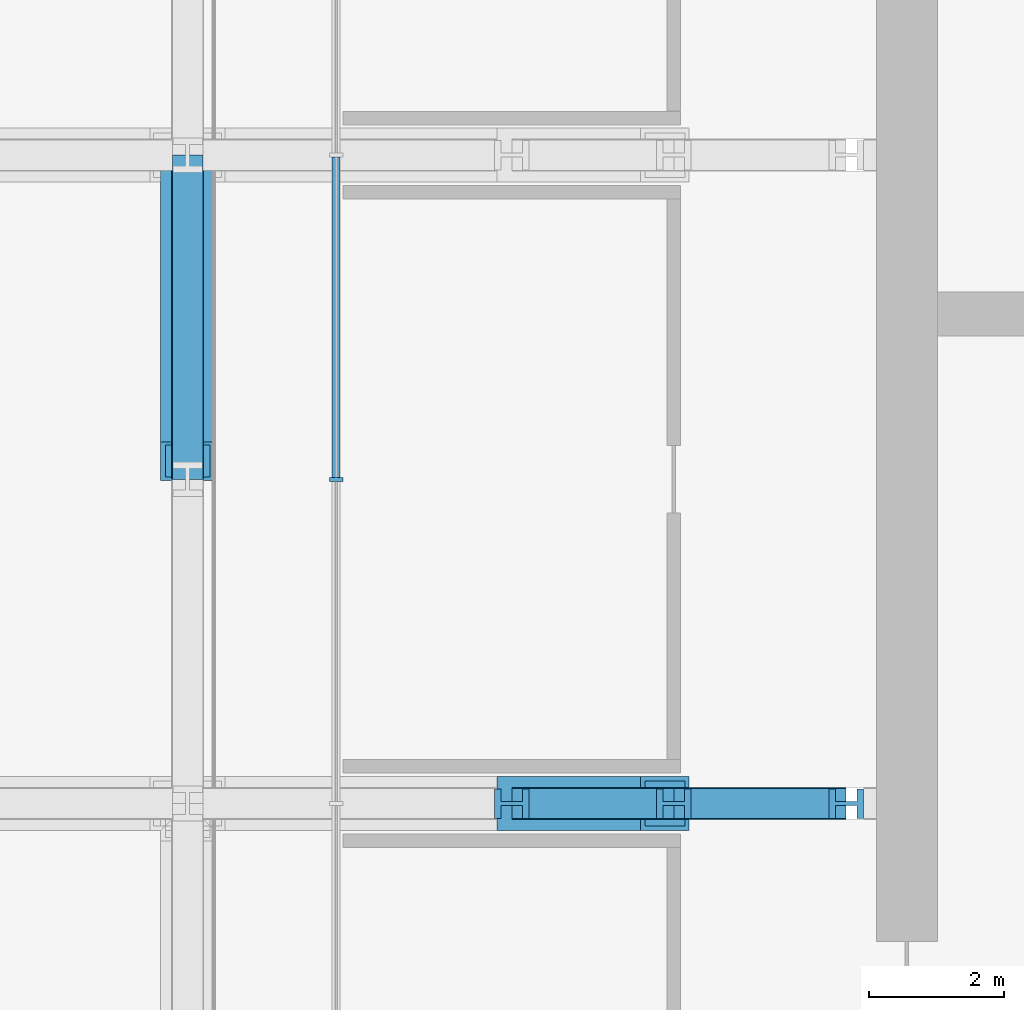
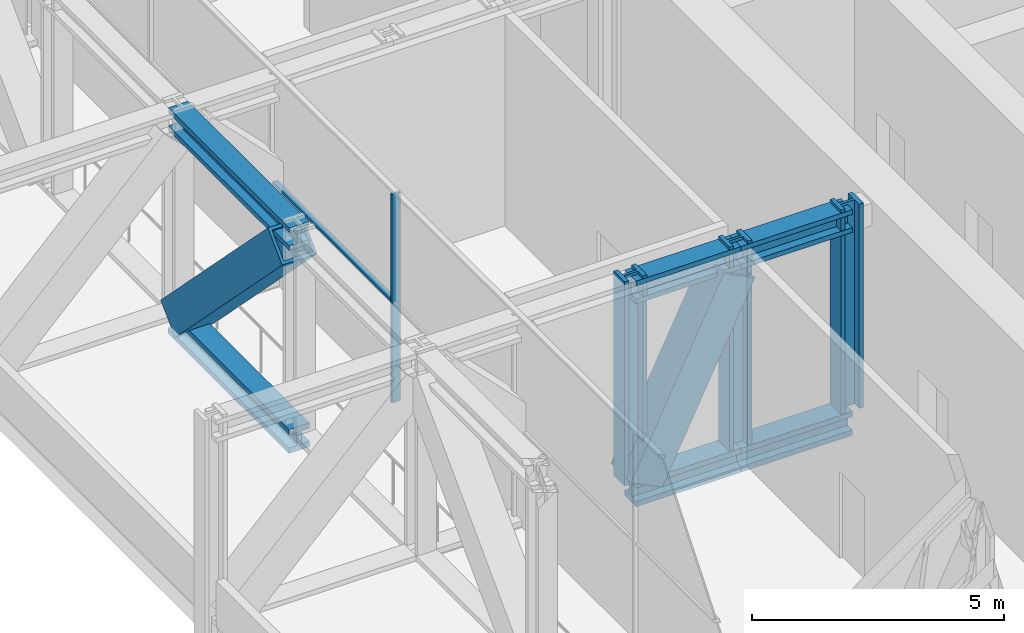
# One storey, part 5 of 30: 13 members, 1 element without a shape of its own.
"""IFC4 building model written with IfcOpenShell, lengths in metres."""

from ifc_helpers import new_model, si_unit, direction, frame, origin, origin_2d, place, context, subcontext, project, spatial, rectangle, hollow_rectangle, i_section, extrude, material, layer, layer_set, material_profile, profile_set, type_object, element, aggregate, save


model = new_model("IFC4")

# Units and contexts
model_context = context("Model", 3, precision=1e-05, world=origin(), true_north=direction((0.0, 1.0)))
body_context = subcontext(model_context, "Body", "Model", "MODEL_VIEW")
ifc_project = project(units=[si_unit("LENGTHUNIT", "METRE"), si_unit("AREAUNIT", "SQUARE_METRE"), si_unit("VOLUMEUNIT", "CUBIC_METRE"), si_unit("PLANEANGLEUNIT", "RADIAN"), si_unit("MASSUNIT", "GRAM", prefix="KILO")], contexts=[model_context])

# Site, building, storey
site_placement = place(None, origin())
site = spatial("IfcSite", under=ifc_project, at=site_placement, CompositionType="ELEMENT")
building_placement = place(site_placement, origin())
building = spatial("IfcBuilding", under=site, at=building_placement, Name="Madar Terraces", CompositionType="ELEMENT")
storey_placement = place(building_placement, frame((0.0, 0.0, 53.89990234375)))
storey = spatial("IfcBuildingStorey", under=building, at=storey_placement, Name="L13", CompositionType="ELEMENT", Elevation=53.89990234375)

# Members
ifc_material_1 = material(Name="Steel ASTM A913 Grade 65", Category="steel")
ifc_material_profile_1 = material_profile(ifc_material_1, i_section(OverallWidth=0.472412109375, OverallDepth=0.5791015625, WebThickness=0.094970703125, FlangeThickness=0.130126953125, at=origin_2d()), Name="W14x808")
ifc_profile_set_1 = profile_set([ifc_material_profile_1], Name="Steel ASTM A913 Grade 65")
member_type_1 = type_object("IfcMemberType", Name="BC2 W14x808", PredefinedType="CHORD", material=ifc_profile_set_1)
member_1_placement = place(storey_placement, frame((4.800048828125, 33.60009765625, -0.13037109375), z_axis=(0.0, -1.0, 0.0), x_axis=(1.0, 0.0, 0.0)))
element("IfcMember", 1, at=member_1_placement, inside=storey, type_object=member_type_1, Name="Exoskeleton truss ring bottom chord BC2", PredefinedType="CHORD", context=body_context, shape_type="SweptSolid", body=[
    extrude(i_section(OverallWidth=0.472412109375, OverallDepth=0.5791015625, WebThickness=0.094970703125, FlangeThickness=0.130126953125, at=origin_2d()), origin(), (0.0, 0.0, 1.0), 4.800048828125),
])
member_2_placement = place(storey_placement, frame((9.60009765625, 24.0, -0.13037109375), z_axis=(1.0, 0.0, 0.0), x_axis=(0.0, 1.0, 0.0)))
element("IfcMember", 2, at=member_2_placement, inside=storey, type_object=member_type_1, Name="Exoskeleton truss cross W24 bottom chord BC2", PredefinedType="CHORD", context=body_context, shape_type="SweptSolid", body=[
    extrude(i_section(OverallWidth=0.472412109375, OverallDepth=0.5791015625, WebThickness=0.094970703125, FlangeThickness=0.130126953125, at=origin_2d()), origin(), (0.0, 0.0, 1.0), 2.39990234375),
])
member_3_placement = place(storey_placement, frame((12.0, 24.0, -0.13037109375), z_axis=(1.0, 0.0, 0.0), x_axis=(0.0, 1.0, 0.0)))
element("IfcMember", 3, at=member_3_placement, inside=storey, type_object=member_type_1, Name="Exoskeleton truss cross W24 bottom chord BC2", PredefinedType="CHORD", context=body_context, shape_type="SweptSolid", body=[
    extrude(i_section(OverallWidth=0.472412109375, OverallDepth=0.5791015625, WebThickness=0.094970703125, FlangeThickness=0.130126953125, at=origin_2d()), origin(), (0.0, 0.0, 1.0), 2.550048828125),
])

# Curtain wall, members
ifc_material_2 = material(Name="Glass, ceramic frit dark grey, with black aluminium frame", Category="aluminium")
ifc_layer = layer(ifc_material_2, 0.199951171875)
ifc_layer_set = layer_set([ifc_layer], Name="Facade curtain wall, tall glazing")
curtain_wall_type = type_object("IfcCurtainWallType", Name="Facade curtain wall, tall glazing", PredefinedType="NOTDEFINED", material=ifc_layer_set)
curtain_wall_placement = place(storey_placement, origin())
curtain_wall = element("IfcCurtainWall", 4, at=curtain_wall_placement, inside=storey, type_object=curtain_wall_type, Name="Outer skin curtain wall west bay 1", PredefinedType="NOTDEFINED")
ifc_material_3 = material(Name="Aluminium, black anodised", Category="aluminium")
ifc_material_profile_2 = material_profile(ifc_material_3, rectangle(XDim=0.199951171875, YDim=0.06005859375, at=origin_2d()), Name="Facade mullion 60x200")
ifc_profile_set_2 = profile_set([ifc_material_profile_2], Name="Aluminium, black anodised")
member_type_2 = type_object("IfcMemberType", Name="Facade mullion 60x200", PredefinedType="MULLION", material=ifc_profile_set_2)
member_4_placement = place(storey_placement, frame((7.0, 28.800048828125, 0.0), z_axis=(0.0, 0.0, 1.0), x_axis=(1.0, 0.0, 0.0)))
member_4 = element("IfcMember", 5, at=member_4_placement, type_object=member_type_2, Name="Mullion 3", PredefinedType="MULLION", context=body_context, shape_type="SweptSolid", body=[
    extrude(rectangle(XDim=0.199951171875, YDim=0.06005859375, at=origin_2d()), origin(), (0.0, 0.0, 1.0), 5.0400390625),
])
ifc_material_4 = material(Name="Aluminium, black anodised", Category="aluminium")
ifc_material_profile_3 = material_profile(ifc_material_4, rectangle(XDim=0.1201171875, YDim=0.06005859375, at=origin_2d()), Name="Facade transom 60x120")
ifc_profile_set_3 = profile_set([ifc_material_profile_3], Name="Aluminium, black anodised")
member_type_3 = type_object("IfcMemberType", Name="Facade transom 60x120", PredefinedType="USERDEFINED", material=ifc_profile_set_3)
member_5_placement = place(storey_placement, frame((7.0, 33.570068359375, 2.400146484375), z_axis=(0.0, -1.0, 0.0), x_axis=(1.0, 0.0, 0.0)))
member_5 = element("IfcMember", 6, at=member_5_placement, type_object=member_type_3, Name="Transom 4", ObjectType="TRANSOM", PredefinedType="USERDEFINED", context=body_context, shape_type="SweptSolid", body=[
    extrude(rectangle(XDim=0.1201171875, YDim=0.06005859375, at=origin_2d()), origin(), (0.0, 0.0, 1.0), 4.739990234375),
])
aggregate(curtain_wall, [member_4, member_5])

# Members
ifc_material_5 = material(Name="Steel ASTM A913 Grade 65", Category="steel")
ifc_material_profile_4 = material_profile(ifc_material_5, i_section(OverallWidth=0.449462890625, OverallDepth=0.548583984375, WebThickness=0.07177734375, FlangeThickness=0.11474609375, at=origin_2d()), Name="W14x665")
ifc_profile_set_4 = profile_set([ifc_material_profile_4], Name="Steel ASTM A913 Grade 65")
member_type_4 = type_object("IfcMemberType", Name="TC2 W14x665", PredefinedType="CHORD", material=ifc_profile_set_4)
member_6_placement = place(storey_placement, frame((4.800048828125, 33.60009765625, 4.755859375), z_axis=(0.0, -1.0, 0.0), x_axis=(1.0, 0.0, 0.0)))
element("IfcMember", 7, at=member_6_placement, inside=storey, type_object=member_type_4, Name="Exoskeleton truss ring top chord TC2", PredefinedType="CHORD", context=body_context, shape_type="SweptSolid", body=[
    extrude(i_section(OverallWidth=0.449462890625, OverallDepth=0.548583984375, WebThickness=0.07177734375, FlangeThickness=0.11474609375, at=origin_2d()), origin(), (0.0, 0.0, 1.0), 4.800048828125),
])
member_7_placement = place(storey_placement, frame((9.60009765625, 24.0, 4.755859375), z_axis=(1.0, 0.0, 0.0), x_axis=(0.0, 1.0, 0.0)))
element("IfcMember", 8, at=member_7_placement, inside=storey, type_object=member_type_4, Name="Exoskeleton truss cross W24 top chord TC2", PredefinedType="CHORD", context=body_context, shape_type="SweptSolid", body=[
    extrude(i_section(OverallWidth=0.449462890625, OverallDepth=0.548583984375, WebThickness=0.07177734375, FlangeThickness=0.11474609375, at=origin_2d()), origin(), (0.0, 0.0, 1.0), 2.39990234375),
])
member_8_placement = place(storey_placement, frame((12.0, 24.0, 4.755859375), z_axis=(1.0, 0.0, 0.0), x_axis=(0.0, 1.0, 0.0)))
element("IfcMember", 9, at=member_8_placement, inside=storey, type_object=member_type_4, Name="Exoskeleton truss cross W24 top chord TC2", PredefinedType="CHORD", context=body_context, shape_type="SweptSolid", body=[
    extrude(i_section(OverallWidth=0.449462890625, OverallDepth=0.548583984375, WebThickness=0.07177734375, FlangeThickness=0.11474609375, at=origin_2d()), origin(), (0.0, 0.0, 1.0), 2.550048828125),
])
ifc_material_6 = material(Name="Steel ASTM A572 Grade 50", Category="steel")
ifc_material_profile_5 = material_profile(ifc_material_6, hollow_rectangle(XDim=0.800048828125, YDim=0.800048828125, WallThickness=0.070068359375, at=origin_2d()), Name="BOX800x800x70")
ifc_profile_set_5 = profile_set([ifc_material_profile_5], Name="Steel ASTM A572 Grade 50")
member_type_5 = type_object("IfcMemberType", Name="TD2 BOX800x800x70", PredefinedType="BRACE", material=ifc_profile_set_5)
member_9_placement = place(storey_placement, frame((4.800048828125, 33.3154296875, 0.1591796875), z_axis=(0.0, -0.700772473755, 0.713384847068), x_axis=(1.0, 0.0, 0.0)))
element("IfcMember", 10, at=member_9_placement, inside=storey, type_object=member_type_5, Name="Exoskeleton truss ring diagonal TD2", PredefinedType="BRACE", context=body_context, shape_type="SweptSolid", body=[
    extrude(hollow_rectangle(XDim=0.800048828125, YDim=0.800048828125, WallThickness=0.070068359375, at=origin_2d()), origin(), (0.0, 0.0, 1.0), 6.058837890625),
])
member_10_placement = place(storey_placement, frame((9.7421875, 24.0, 0.1591796875), z_axis=(0.440875217674, 0.0, 0.897568405438), x_axis=(0.0, 1.0, 0.0)))
element("IfcMember", 11, at=member_10_placement, inside=storey, type_object=member_type_5, Name="Exoskeleton truss cross W24 diagonal TD2", PredefinedType="BRACE", context=body_context, shape_type="SweptSolid", body=[
    extrude(hollow_rectangle(XDim=0.800048828125, YDim=0.800048828125, WallThickness=0.070068359375, at=origin_2d()), origin(), (0.0, 0.0, 1.0), 4.8154296875),
])
ifc_material_7 = material(Name="Steel ASTM A913 Grade 65", Category="steel")
ifc_material_profile_6 = material_profile(ifc_material_7, i_section(OverallWidth=0.436767578125, OverallDepth=0.51318359375, WebThickness=0.060546875, FlangeThickness=0.096923828125, at=origin_2d()), Name="W14x550")
ifc_profile_set_6 = profile_set([ifc_material_profile_6], Name="Steel ASTM A913 Grade 65")
member_type_6 = type_object("IfcMemberType", Name="TV2 W14x550", PredefinedType="POST", material=ifc_profile_set_6)
for number, where, z_axis, x_axis, name in (
    (12, (9.60009765625, 24.0, 0.1591796875), (0.0, 0.0, 1.0), (0.0, 1.0, 0.0), "Exoskeleton truss cross W24 post TV2"),
    (13, (12.0, 24.0, 0.1591796875), (0.0, 0.0, 1.0), (0.0, 1.0, 0.0), "Exoskeleton truss cross W24 post TV2"),
    (14, (14.550048828125, 24.0, 0.1591796875), (0.0, 0.0, 1.0), (0.0, 1.0, 0.0), "Exoskeleton truss cross W24 post TV2"),
):
    element("IfcMember", number, at=place(storey_placement, frame(where, z_axis=z_axis, x_axis=x_axis)), inside=storey, type_object=member_type_6, Name=name, PredefinedType="POST", context=body_context, shape_type="SweptSolid", body=[
        extrude(i_section(OverallWidth=0.436767578125, OverallDepth=0.51318359375, WebThickness=0.060546875, FlangeThickness=0.096923828125, at=origin_2d()), origin(), (0.0, 0.0, 1.0), 4.94091796875),
    ])

save(model, "model.ifc")
